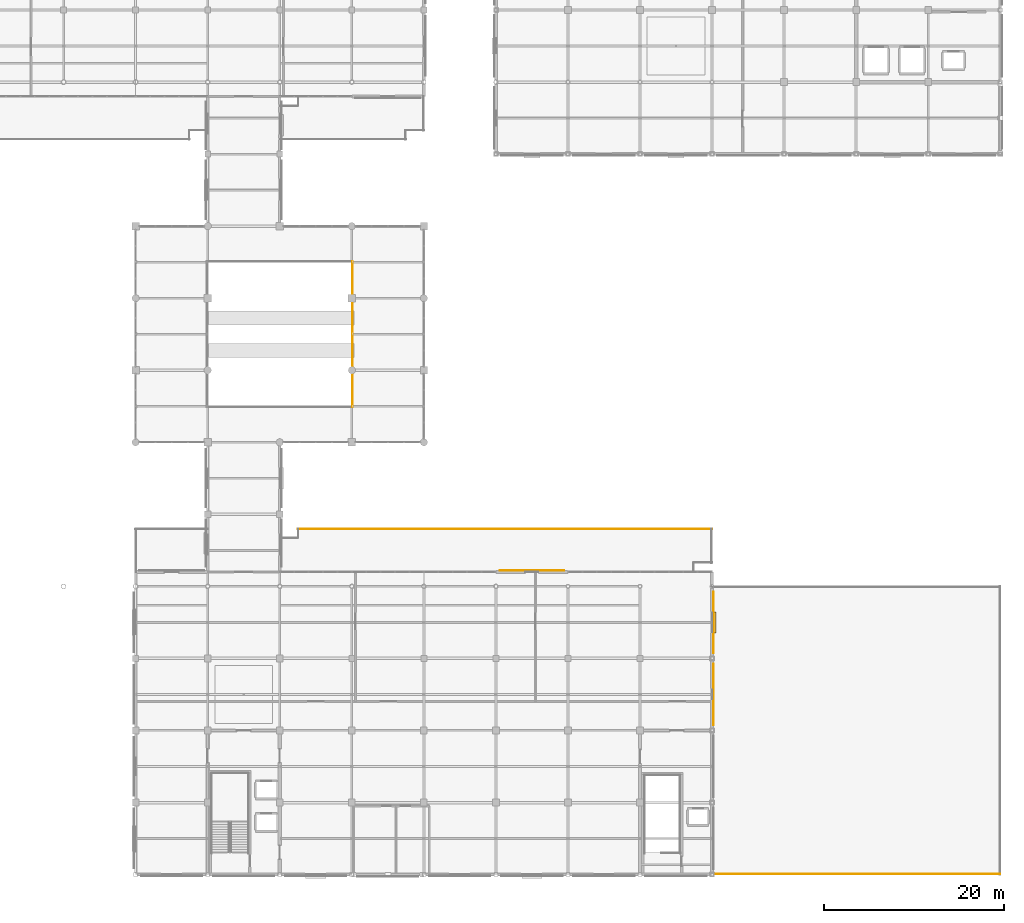
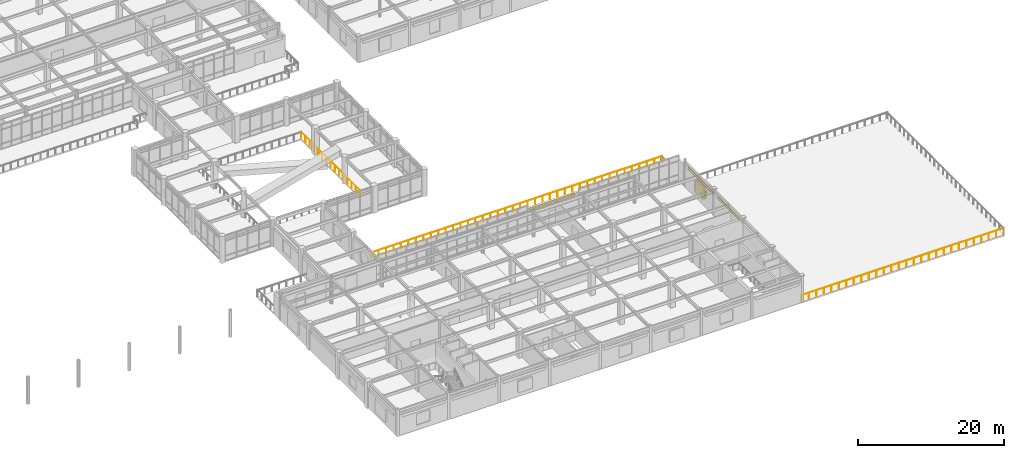
# One storey, part 84 of 93: 3 coverings, 3 railings, 1 shading device.
"""IFC4 building model written with IfcOpenShell, lengths in metres."""

from ifc_helpers import new_model, si_unit, direction, frame, origin, origin_2d, place, context, subcontext, project, spatial, rectangle, circle, extrude, material, layer, layer_set, type_object, element, save


model = new_model("IFC4")

# Units and contexts
model_context = context("Model", 3, precision=1e-05, world=origin(), true_north=direction((0.0, 1.0)))
body_context = subcontext(model_context, "Body", "Model", "MODEL_VIEW")
ifc_project = project(units=[si_unit("LENGTHUNIT", "METRE"), si_unit("AREAUNIT", "SQUARE_METRE"), si_unit("VOLUMEUNIT", "CUBIC_METRE"), si_unit("PLANEANGLEUNIT", "RADIAN"), si_unit("MASSUNIT", "GRAM", prefix="KILO")], contexts=[model_context])

# Site, building, storey
site_placement = place(None, origin())
site = spatial("IfcSite", under=ifc_project, at=site_placement, CompositionType="ELEMENT")
building_placement = place(site_placement, origin())
building = spatial("IfcBuilding", under=site, at=building_placement, Name="Solmirada Galleria", CompositionType="ELEMENT")
storey_placement = place(building_placement, frame((0.0, 0.0, 14.89990234375)))
storey = spatial("IfcBuildingStorey", under=building, at=storey_placement, Name="L03", CompositionType="ELEMENT", Elevation=14.89990234375)

# Coverings
ifc_material_1 = material(Name="Limestone cladding panels", Category="masonry")
ifc_layer_1 = layer(ifc_material_1, 0.044921875)
ifc_layer_set_1 = layer_set([ifc_layer_1], Name="Limestone cladding panels")
covering_type_1 = type_object("IfcCoveringType", Name="COV-CLAD-LIME", PredefinedType="CLADDING", material=ifc_layer_set_1)
covering_1_placement = place(storey_placement, frame((144.177490234375, 20.0, 2.990234375), z_axis=(0.0, 0.0, 1.0), x_axis=(0.0, -1.0, 0.0)))
element("IfcCovering", 1, at=covering_1_placement, inside=storey, type_object=covering_type_1, Name="Postmodern facade cladding L03-209", PredefinedType="CLADDING", context=body_context, shape_type="SweptSolid", body=[
    extrude(rectangle(XDim=6.843994140625, YDim=0.044921875, at=origin_2d()), origin(), (0.0, 0.0, 1.0), 0.4599609375),
])
ifc_material_2 = material(Name="Glazed terracotta facade panels", Category="masonry")
ifc_layer_2 = layer(ifc_material_2, 0.0400390625)
ifc_layer_set_2 = layer_set([ifc_layer_2], Name="Glazed terracotta facade panels")
covering_type_2 = type_object("IfcCoveringType", Name="COV-CLAD-TERRA", PredefinedType="CLADDING", material=ifc_layer_set_2)
covering_2_placement = place(storey_placement, frame((124.0, 33.77490234375, 2.990234375), z_axis=(0.0, 0.0, 1.0), x_axis=(1.0, 0.0, 0.0)))
element("IfcCovering", 2, at=covering_2_placement, inside=storey, type_object=covering_type_2, Name="Postmodern facade cladding L03-207", PredefinedType="CLADDING", context=body_context, shape_type="SweptSolid", body=[
    extrude(rectangle(XDim=7.199951171875, YDim=0.0400390625, at=origin_2d()), origin(), (0.0, 0.0, 1.0), 0.4599609375),
])
covering_3_placement = place(storey_placement, frame((144.175048828125, 28.0, 2.990234375), z_axis=(0.0, 0.0, 1.0), x_axis=(0.0, -1.0, 0.0)))
element("IfcCovering", 3, at=covering_3_placement, inside=storey, type_object=covering_type_2, Name="Postmodern facade cladding L03-208", PredefinedType="CLADDING", context=body_context, shape_type="SweptSolid", body=[
    extrude(rectangle(XDim=6.819091796875, YDim=0.0400390625, at=origin_2d()), origin(), (0.0, 0.0, 1.0), 0.4599609375),
])

# Railings
ifc_material_3 = material(Name="Tempered laminated glass and stainless-steel balustrade", Category="steel")
railing_type_1 = type_object("IfcRailingType", Name="RAIL-ATRIUM-BAL", PredefinedType="BALUSTRADE", material=ifc_material_3)
railing_1_placement = place(storey_placement, frame((104.080078125, 51.919921875, 0.0)))
element("IfcRailing", 4, at=railing_1_placement, inside=storey, type_object=railing_type_1, Name="Void balustrade ATRIUM L03-E1", PredefinedType="BALUSTRADE", context=body_context, shape_type="SweptSolid", body=[
    extrude(circle(Radius=0.02392578125, at=origin_2d()), frame((0.0, 0.0, 1.09619140625), z_axis=(0.0, 1.0, 0.0), x_axis=(-1.0, 0.0, 0.0)), (0.0, 0.0, 1.0), 16.16015625),
    extrude(circle(Radius=0.02099609375, at=origin_2d()), origin(), (0.0, 0.0, 1.0), 1.068115234375),
    extrude(circle(Radius=0.02099609375, at=origin_2d()), frame((0.0, 1.154296875, 0.0)), (0.0, 0.0, 1.0), 1.068115234375),
    extrude(circle(Radius=0.02099609375, at=origin_2d()), frame((0.0, 2.30859375, 0.0)), (0.0, 0.0, 1.0), 1.068115234375),
    extrude(circle(Radius=0.02099609375, at=origin_2d()), frame((0.0, 3.462890625, 0.0)), (0.0, 0.0, 1.0), 1.068115234375),
    extrude(circle(Radius=0.02099609375, at=origin_2d()), frame((0.0, 4.6171875, 0.0)), (0.0, 0.0, 1.0), 1.068115234375),
    extrude(circle(Radius=0.02099609375, at=origin_2d()), frame((0.0, 5.771484375, 0.0)), (0.0, 0.0, 1.0), 1.068115234375),
    extrude(circle(Radius=0.02099609375, at=origin_2d()), frame((0.0, 6.92578125, 0.0)), (0.0, 0.0, 1.0), 1.068115234375),
    extrude(circle(Radius=0.02099609375, at=origin_2d()), frame((0.0, 8.080078125, 0.0)), (0.0, 0.0, 1.0), 1.068115234375),
    extrude(circle(Radius=0.02099609375, at=origin_2d()), frame((0.0, 9.234375, 0.0)), (0.0, 0.0, 1.0), 1.068115234375),
    extrude(circle(Radius=0.02099609375, at=origin_2d()), frame((0.0, 10.388671875, 0.0)), (0.0, 0.0, 1.0), 1.068115234375),
    extrude(circle(Radius=0.02099609375, at=origin_2d()), frame((0.0, 11.54296875, 0.0)), (0.0, 0.0, 1.0), 1.068115234375),
    extrude(circle(Radius=0.02099609375, at=origin_2d()), frame((0.0, 12.697265625, 0.0)), (0.0, 0.0, 1.0), 1.068115234375),
    extrude(circle(Radius=0.02099609375, at=origin_2d()), frame((0.0, 13.8515625, 0.0)), (0.0, 0.0, 1.0), 1.068115234375),
    extrude(circle(Radius=0.02099609375, at=origin_2d()), frame((0.0, 15.005859375, 0.0)), (0.0, 0.0, 1.0), 1.068115234375),
    extrude(circle(Radius=0.02099609375, at=origin_2d()), frame((0.0, 16.16015625, 0.0)), (0.0, 0.0, 1.0), 1.068115234375),
])
ifc_material_4 = material(Name="Painted galvanized steel balustrade", Category="steel")
railing_type_2 = type_object("IfcRailingType", Name="RAIL-TERR-1100", PredefinedType="GUARDRAIL", material=ifc_material_4)
railing_2_placement = place(storey_placement, frame((144.0, 38.35009765625, 0.0)))
element("IfcRailing", 5, at=railing_2_placement, inside=storey, type_object=railing_type_2, Name="Terrace guardrail L03-TERR-SE E5.1", PredefinedType="GUARDRAIL", context=body_context, shape_type="SweptSolid", body=[
    extrude(circle(Radius=0.02392578125, at=origin_2d()), frame((0.0, 0.0, 1.09619140625), z_axis=(-1.0, 0.0, 0.0), x_axis=(0.0, -1.0, 0.0)), (0.0, 0.0, 1.0), 46.0),
    extrude(circle(Radius=0.02099609375, at=origin_2d()), origin(), (0.0, 0.0, 1.0), 1.068115234375),
    extrude(circle(Radius=0.02099609375, at=origin_2d()), frame((-1.179443359375, 0.0, 0.0)), (0.0, 0.0, 1.0), 1.068115234375),
    extrude(circle(Radius=0.02099609375, at=origin_2d()), frame((-2.35888671875, 0.0, 0.0)), (0.0, 0.0, 1.0), 1.068115234375),
    extrude(circle(Radius=0.02099609375, at=origin_2d()), frame((-3.53857421875, 0.0, 0.0)), (0.0, 0.0, 1.0), 1.068115234375),
    extrude(circle(Radius=0.02099609375, at=origin_2d()), frame((-4.718017578125, 0.0, 0.0)), (0.0, 0.0, 1.0), 1.068115234375),
    extrude(circle(Radius=0.02099609375, at=origin_2d()), frame((-5.8974609375, 0.0, 0.0)), (0.0, 0.0, 1.0), 1.068115234375),
    extrude(circle(Radius=0.02099609375, at=origin_2d()), frame((-7.076904296875, 0.0, 0.0)), (0.0, 0.0, 1.0), 1.068115234375),
    extrude(circle(Radius=0.02099609375, at=origin_2d()), frame((-8.25634765625, 0.0, 0.0)), (0.0, 0.0, 1.0), 1.068115234375),
    extrude(circle(Radius=0.02099609375, at=origin_2d()), frame((-9.435791015625, 0.0, 0.0)), (0.0, 0.0, 1.0), 1.068115234375),
    extrude(circle(Radius=0.02099609375, at=origin_2d()), frame((-10.615478515625, 0.0, 0.0)), (0.0, 0.0, 1.0), 1.068115234375),
    extrude(circle(Radius=0.02099609375, at=origin_2d()), frame((-11.794921875, 0.0, 0.0)), (0.0, 0.0, 1.0), 1.068115234375),
    extrude(circle(Radius=0.02099609375, at=origin_2d()), frame((-12.974365234375, 0.0, 0.0)), (0.0, 0.0, 1.0), 1.068115234375),
    extrude(circle(Radius=0.02099609375, at=origin_2d()), frame((-14.15380859375, 0.0, 0.0)), (0.0, 0.0, 1.0), 1.068115234375),
    extrude(circle(Radius=0.02099609375, at=origin_2d()), frame((-15.333251953125, 0.0, 0.0)), (0.0, 0.0, 1.0), 1.068115234375),
    extrude(circle(Radius=0.02099609375, at=origin_2d()), frame((-16.512939453125, 0.0, 0.0)), (0.0, 0.0, 1.0), 1.068115234375),
    extrude(circle(Radius=0.02099609375, at=origin_2d()), frame((-17.6923828125, 0.0, 0.0)), (0.0, 0.0, 1.0), 1.068115234375),
    extrude(circle(Radius=0.02099609375, at=origin_2d()), frame((-18.871826171875, 0.0, 0.0)), (0.0, 0.0, 1.0), 1.068115234375),
    extrude(circle(Radius=0.02099609375, at=origin_2d()), frame((-20.05126953125, 0.0, 0.0)), (0.0, 0.0, 1.0), 1.068115234375),
    extrude(circle(Radius=0.02099609375, at=origin_2d()), frame((-21.230712890625, 0.0, 0.0)), (0.0, 0.0, 1.0), 1.068115234375),
    extrude(circle(Radius=0.02099609375, at=origin_2d()), frame((-22.41015625, 0.0, 0.0)), (0.0, 0.0, 1.0), 1.068115234375),
    extrude(circle(Radius=0.02099609375, at=origin_2d()), frame((-23.58984375, 0.0, 0.0)), (0.0, 0.0, 1.0), 1.068115234375),
    extrude(circle(Radius=0.02099609375, at=origin_2d()), frame((-24.769287109375, 0.0, 0.0)), (0.0, 0.0, 1.0), 1.068115234375),
    extrude(circle(Radius=0.02099609375, at=origin_2d()), frame((-25.94873046875, 0.0, 0.0)), (0.0, 0.0, 1.0), 1.068115234375),
    extrude(circle(Radius=0.02099609375, at=origin_2d()), frame((-27.128173828125, 0.0, 0.0)), (0.0, 0.0, 1.0), 1.068115234375),
    extrude(circle(Radius=0.02099609375, at=origin_2d()), frame((-28.3076171875, 0.0, 0.0)), (0.0, 0.0, 1.0), 1.068115234375),
    extrude(circle(Radius=0.02099609375, at=origin_2d()), frame((-29.487060546875, 0.0, 0.0)), (0.0, 0.0, 1.0), 1.068115234375),
    extrude(circle(Radius=0.02099609375, at=origin_2d()), frame((-30.666748046875, 0.0, 0.0)), (0.0, 0.0, 1.0), 1.068115234375),
    extrude(circle(Radius=0.02099609375, at=origin_2d()), frame((-31.84619140625, 0.0, 0.0)), (0.0, 0.0, 1.0), 1.068115234375),
    extrude(circle(Radius=0.02099609375, at=origin_2d()), frame((-33.025634765625, 0.0, 0.0)), (0.0, 0.0, 1.0), 1.068115234375),
    extrude(circle(Radius=0.02099609375, at=origin_2d()), frame((-34.205078125, 0.0, 0.0)), (0.0, 0.0, 1.0), 1.068115234375),
    extrude(circle(Radius=0.02099609375, at=origin_2d()), frame((-35.384521484375, 0.0, 0.0)), (0.0, 0.0, 1.0), 1.068115234375),
    extrude(circle(Radius=0.02099609375, at=origin_2d()), frame((-36.564208984375, 0.0, 0.0)), (0.0, 0.0, 1.0), 1.068115234375),
    extrude(circle(Radius=0.02099609375, at=origin_2d()), frame((-37.74365234375, 0.0, 0.0)), (0.0, 0.0, 1.0), 1.068115234375),
    extrude(circle(Radius=0.02099609375, at=origin_2d()), frame((-38.923095703125, 0.0, 0.0)), (0.0, 0.0, 1.0), 1.068115234375),
    extrude(circle(Radius=0.02099609375, at=origin_2d()), frame((-40.1025390625, 0.0, 0.0)), (0.0, 0.0, 1.0), 1.068115234375),
    extrude(circle(Radius=0.02099609375, at=origin_2d()), frame((-41.281982421875, 0.0, 0.0)), (0.0, 0.0, 1.0), 1.068115234375),
    extrude(circle(Radius=0.02099609375, at=origin_2d()), frame((-42.46142578125, 0.0, 0.0)), (0.0, 0.0, 1.0), 1.068115234375),
    extrude(circle(Radius=0.02099609375, at=origin_2d()), frame((-43.64111328125, 0.0, 0.0)), (0.0, 0.0, 1.0), 1.068115234375),
    extrude(circle(Radius=0.02099609375, at=origin_2d()), frame((-44.820556640625, 0.0, 0.0)), (0.0, 0.0, 1.0), 1.068115234375),
    extrude(circle(Radius=0.02099609375, at=origin_2d()), frame((-46.0, 0.0, 0.0)), (0.0, 0.0, 1.0), 1.068115234375),
])
railing_3_placement = place(storey_placement, frame((144.0, 0.050048828125, 0.0)))
element("IfcRailing", 6, at=railing_3_placement, inside=storey, type_object=railing_type_2, Name="Terrace guardrail L03-TERR-ER E1.1", PredefinedType="GUARDRAIL", context=body_context, shape_type="SweptSolid", body=[
    extrude(circle(Radius=0.02392578125, at=origin_2d()), frame((0.0, 0.0, 1.09619140625), z_axis=(1.0, 0.0, 0.0), x_axis=(0.0, 1.0, 0.0)), (0.0, 0.0, 1.0), 32.0),
    extrude(circle(Radius=0.02099609375, at=origin_2d()), origin(), (0.0, 0.0, 1.0), 1.068115234375),
    extrude(circle(Radius=0.02099609375, at=origin_2d()), frame((1.185302734375, 0.0, 0.0)), (0.0, 0.0, 1.0), 1.068115234375),
    extrude(circle(Radius=0.02099609375, at=origin_2d()), frame((2.370361328125, 0.0, 0.0)), (0.0, 0.0, 1.0), 1.068115234375),
    extrude(circle(Radius=0.02099609375, at=origin_2d()), frame((3.5556640625, 0.0, 0.0)), (0.0, 0.0, 1.0), 1.068115234375),
    extrude(circle(Radius=0.02099609375, at=origin_2d()), frame((4.74072265625, 0.0, 0.0)), (0.0, 0.0, 1.0), 1.068115234375),
    extrude(circle(Radius=0.02099609375, at=origin_2d()), frame((5.926025390625, 0.0, 0.0)), (0.0, 0.0, 1.0), 1.068115234375),
    extrude(circle(Radius=0.02099609375, at=origin_2d()), frame((7.111083984375, 0.0, 0.0)), (0.0, 0.0, 1.0), 1.068115234375),
    extrude(circle(Radius=0.02099609375, at=origin_2d()), frame((8.29638671875, 0.0, 0.0)), (0.0, 0.0, 1.0), 1.068115234375),
    extrude(circle(Radius=0.02099609375, at=origin_2d()), frame((9.4814453125, 0.0, 0.0)), (0.0, 0.0, 1.0), 1.068115234375),
    extrude(circle(Radius=0.02099609375, at=origin_2d()), frame((10.666748046875, 0.0, 0.0)), (0.0, 0.0, 1.0), 1.068115234375),
    extrude(circle(Radius=0.02099609375, at=origin_2d()), frame((11.851806640625, 0.0, 0.0)), (0.0, 0.0, 1.0), 1.068115234375),
    extrude(circle(Radius=0.02099609375, at=origin_2d()), frame((13.037109375, 0.0, 0.0)), (0.0, 0.0, 1.0), 1.068115234375),
    extrude(circle(Radius=0.02099609375, at=origin_2d()), frame((14.22216796875, 0.0, 0.0)), (0.0, 0.0, 1.0), 1.068115234375),
    extrude(circle(Radius=0.02099609375, at=origin_2d()), frame((15.407470703125, 0.0, 0.0)), (0.0, 0.0, 1.0), 1.068115234375),
    extrude(circle(Radius=0.02099609375, at=origin_2d()), frame((16.592529296875, 0.0, 0.0)), (0.0, 0.0, 1.0), 1.068115234375),
    extrude(circle(Radius=0.02099609375, at=origin_2d()), frame((17.77783203125, 0.0, 0.0)), (0.0, 0.0, 1.0), 1.068115234375),
    extrude(circle(Radius=0.02099609375, at=origin_2d()), frame((18.962890625, 0.0, 0.0)), (0.0, 0.0, 1.0), 1.068115234375),
    extrude(circle(Radius=0.02099609375, at=origin_2d()), frame((20.148193359375, 0.0, 0.0)), (0.0, 0.0, 1.0), 1.068115234375),
    extrude(circle(Radius=0.02099609375, at=origin_2d()), frame((21.333251953125, 0.0, 0.0)), (0.0, 0.0, 1.0), 1.068115234375),
    extrude(circle(Radius=0.02099609375, at=origin_2d()), frame((22.5185546875, 0.0, 0.0)), (0.0, 0.0, 1.0), 1.068115234375),
    extrude(circle(Radius=0.02099609375, at=origin_2d()), frame((23.70361328125, 0.0, 0.0)), (0.0, 0.0, 1.0), 1.068115234375),
    extrude(circle(Radius=0.02099609375, at=origin_2d()), frame((24.888916015625, 0.0, 0.0)), (0.0, 0.0, 1.0), 1.068115234375),
    extrude(circle(Radius=0.02099609375, at=origin_2d()), frame((26.073974609375, 0.0, 0.0)), (0.0, 0.0, 1.0), 1.068115234375),
    extrude(circle(Radius=0.02099609375, at=origin_2d()), frame((27.25927734375, 0.0, 0.0)), (0.0, 0.0, 1.0), 1.068115234375),
    extrude(circle(Radius=0.02099609375, at=origin_2d()), frame((28.4443359375, 0.0, 0.0)), (0.0, 0.0, 1.0), 1.068115234375),
    extrude(circle(Radius=0.02099609375, at=origin_2d()), frame((29.629638671875, 0.0, 0.0)), (0.0, 0.0, 1.0), 1.068115234375),
    extrude(circle(Radius=0.02099609375, at=origin_2d()), frame((30.814697265625, 0.0, 0.0)), (0.0, 0.0, 1.0), 1.068115234375),
    extrude(circle(Radius=0.02099609375, at=origin_2d()), frame((32.0, 0.0, 0.0)), (0.0, 0.0, 1.0), 1.068115234375),
])

# Shading device
ifc_material_5 = material(Name="Extruded aluminium storm louvres", Category="aluminium")
shading_device_type = type_object("IfcShadingDeviceType", Name="SHD-JALOUSIE", PredefinedType="JALOUSIE", material=ifc_material_5)
shading_device_placement = place(storey_placement, frame((144.284912109375, 28.0, 0.80029296875), z_axis=(0.0, 0.0, 1.0), x_axis=(0.0, -1.0, 0.0)))
element("IfcShadingDevice", 7, at=shading_device_placement, inside=storey, type_object=shading_device_type, Name="Hurricane storm jalousie louvre 069", PredefinedType="JALOUSIE", context=body_context, shape_type="SweptSolid", body=[
    extrude(rectangle(XDim=2.360107421875, YDim=0.260009765625, at=origin_2d()), origin(), (0.0, 0.0, 1.0), 2.050048828125),
])

save(model, "model.ifc")
